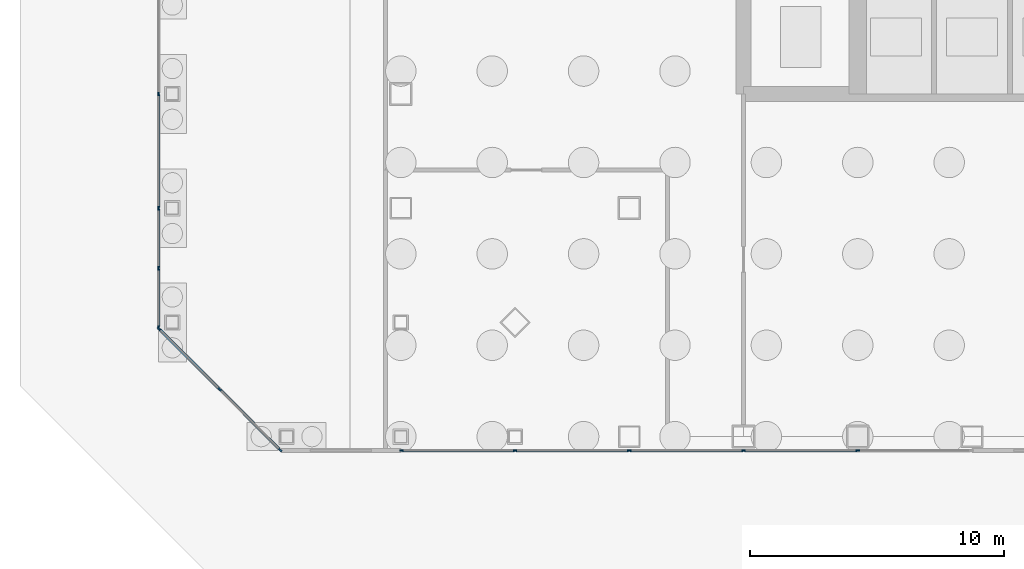
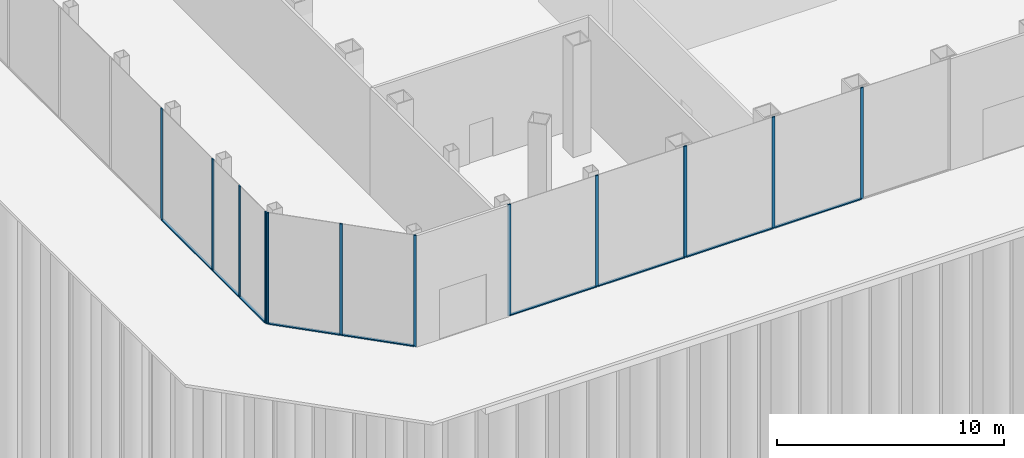
# One storey, part 6 of 24: 21 members, 3 elements without a shape of their own.
"""IFC4 building model written with IfcOpenShell, lengths in metres."""

import ifcopenshell
import ifcopenshell.guid

model = None  # the IFC model being written
_history = None  # IfcOwnerHistory: only IFC2X3 demands one
_inside = {}  # id of a spatial element -> (the spatial element, [elements in it])
_under = {}  # id of a project, library or spatial element -> (it, [spatial elements below it])
_declared = {}  # id of a project -> (the project, [libraries it declares])
_typed = {}  # id of a type object -> (the type object, [elements of that type])
_made_of = {}  # id of a material, layer set ... -> (it, [elements and type objects made of it])


def new_model(schema):
    """Start an empty IFC model of exactly this schema.

    Asked for "IFC4X3", IfcOpenShell would pick the latest addendum, in which some entities
    have other attributes; the version numbers below select the first issue.
    IFC2X3 requires an IfcOwnerHistory on every rooted entity: one is made here for all.
    """
    global model, _history
    if schema == "IFC4X3":
        model = ifcopenshell.file(schema_version=(4, 3, 0, 0))
    else:
        model = ifcopenshell.file(schema=schema)
    _inside.clear()
    _under.clear()
    _declared.clear()
    _typed.clear()
    _made_of.clear()
    _history = None
    if model.schema == "IFC2X3":
        org = make("IfcOrganization", Name="unknown")
        user = make(
            "IfcPersonAndOrganization",
            ThePerson=make("IfcPerson", FamilyName="unknown"),
            TheOrganization=org,
        )
        app = make(
            "IfcApplication",
            ApplicationDeveloper=org,
            Version="unknown",
            ApplicationFullName="unknown",
            ApplicationIdentifier="unknown",
        )
        _history = make(
            "IfcOwnerHistory",
            OwningUser=user,
            OwningApplication=app,
            ChangeAction="ADDED",
            CreationDate=0,
        )
    return model


def make(cls, **values):
    """One entity of the class cls with the attributes given. An attribute that is None is left unset."""
    return model.create_entity(
        cls, **{name: value for name, value in values.items() if value is not None}
    )


def rooted(cls, **values):
    """An entity with a GlobalId (a new one), such as an element, a storey or a relation."""
    return make(cls, GlobalId=ifcopenshell.guid.new(), OwnerHistory=_history, **values)


def si_unit(unit_type, name, prefix=None):
    """IfcSIUnit, for example si_unit("LENGTHUNIT", "METRE", prefix="MILLI")."""
    return make("IfcSIUnit", UnitType=unit_type, Prefix=prefix, Name=name)


def assignment(units):
    """IfcUnitAssignment: the units of a project."""
    return None if units is None else make("IfcUnitAssignment", Units=units)


def point(xyz):
    """IfcCartesianPoint."""
    return None if xyz is None else make("IfcCartesianPoint", Coordinates=xyz)


def direction(xyz):
    """IfcDirection."""
    return None if xyz is None else make("IfcDirection", DirectionRatios=xyz)


def frame(location, z_axis=None, x_axis=None):
    """IfcAxis2Placement3D, a coordinate frame: its origin and axes. An axis left out is left unset."""
    return make(
        "IfcAxis2Placement3D",
        Location=point(location),
        Axis=direction(z_axis),
        RefDirection=direction(x_axis),
    )


def frame_2d(location, x_axis=None):
    """IfcAxis2Placement2D, a coordinate frame in the plane: its origin and x axis."""
    return make(
        "IfcAxis2Placement2D", Location=point(location), RefDirection=direction(x_axis)
    )


def origin():
    """The frame at (0, 0, 0) with its axes left unset."""
    return frame((0.0, 0.0, 0.0))


def origin_2d():
    """The frame at (0, 0) in the plane with its x axis left unset."""
    return frame_2d((0.0, 0.0))


def place(relative_to, where):
    """IfcLocalPlacement: puts the frame where relative to a parent placement (None: the world)."""
    return make(
        "IfcLocalPlacement", PlacementRelTo=relative_to, RelativePlacement=where
    )


def context(
    kind, dimensions, precision=None, world=None, true_north=None, identifier=None
):
    """IfcGeometricRepresentationContext, for example the 3D "Model" context."""
    return make(
        "IfcGeometricRepresentationContext",
        ContextIdentifier=identifier,
        ContextType=kind,
        CoordinateSpaceDimension=dimensions,
        Precision=precision,
        WorldCoordinateSystem=world,
        TrueNorth=true_north,
    )


def subcontext(parent, identifier, kind, view, scale=None):
    """IfcGeometricRepresentationSubContext, for example "Body" below "Model"."""
    return make(
        "IfcGeometricRepresentationSubContext",
        ContextIdentifier=identifier,
        ContextType=kind,
        ParentContext=parent,
        TargetScale=scale,
        TargetView=view,
    )


def project(units=None, contexts=None):
    """IfcProject with its units and contexts."""
    return rooted(
        "IfcProject",
        Name="project",
        RepresentationContexts=contexts,
        UnitsInContext=assignment(units),
    )


def spatial(cls, under=None, at=None, **own):
    """A site, building, storey or space (cls), placed at a placement, below another one or the project."""
    s = rooted(cls, ObjectPlacement=at, **own)
    if under is not None:
        _under.setdefault(under.id(), (under, []))[1].append(s)
    return s


def profile(cls, at=None, kind="AREA", **sizes):
    """A parametric profile (cls). Its sizes go by their IFC names, for example OverallWidth=200.0."""
    return make(cls, ProfileType=kind, Position=at, **sizes)


def rectangle(**sizes):
    """IfcRectangleProfileDef."""
    return profile("IfcRectangleProfileDef", **sizes)


def extrude(swept, where, along, depth):
    """IfcExtrudedAreaSolid: the profile swept, set in the frame where, extruded along a direction by depth."""
    return make(
        "IfcExtrudedAreaSolid",
        SweptArea=swept,
        Position=where,
        ExtrudedDirection=direction(along),
        Depth=depth,
    )


def shape(context_of_items, identifier, shape_type, items):
    """IfcShapeRepresentation: the items that make up one representation, for example the "Body"."""
    return make(
        "IfcShapeRepresentation",
        ContextOfItems=context_of_items,
        RepresentationIdentifier=identifier,
        RepresentationType=shape_type,
        Items=items,
    )


def material(Name=None, Category=None):
    """IfcMaterial."""
    return make("IfcMaterial", Name=Name, Category=Category)


def material_profile(
    of_material, cross_section, Name=None, Category=None, Priority=None
):
    """IfcMaterialProfile: a cross section and its material."""
    return make(
        "IfcMaterialProfile",
        Name=Name,
        Material=of_material,
        Profile=cross_section,
        Priority=Priority,
        Category=Category,
    )


def profile_set(profiles, Name=None, composite=None):
    """IfcMaterialProfileSet."""
    return make(
        "IfcMaterialProfileSet",
        Name=Name,
        MaterialProfiles=profiles,
        CompositeProfile=composite,
    )


def made_of(thing, what):
    """Note that an element or type object is made of a material, layer set ...; save() writes the relation."""
    if what is not None:
        _made_of.setdefault(what.id(), (what, []))[1].append(thing)
    return thing


def type_object(cls, material=None, **own):
    """A type object (cls), such as IfcWallType, which elements share."""
    return made_of(rooted(cls, **own), material)


def element(
    cls,
    number,
    at=None,
    inside=None,
    cuts=None,
    type_object=None,
    material=None,
    context=None,
    identifier="Body",
    shape_type=None,
    held_by="IfcProductDefinitionShape",
    body=None,
    shapes=None,
    **own,
):
    """One element of the class cls, such as IfcWall. Its Tag is "e" and its number.

    at: its placement. inside: the storey or other place that contains it. cuts: it is an
    opening in that element (IfcRelVoidsElement). A single representation is given by context,
    identifier, shape_type and body (its items); several are given by shapes. held_by: the class
    of the entity that holds the representations. save() writes the other relations.
    """
    e = rooted(cls, Tag="e%d" % number, ObjectPlacement=at, **own)
    if body is not None:
        shapes = [shape(context, identifier, shape_type, body)]
    if shapes is not None:
        e.Representation = make(held_by, Representations=shapes)
    if inside is not None:
        _inside.setdefault(inside.id(), (inside, []))[1].append(e)
    if cuts is not None:
        rooted(
            "IfcRelVoidsElement", RelatingBuildingElement=cuts, RelatedOpeningElement=e
        )
    if type_object is not None:
        _typed.setdefault(type_object.id(), (type_object, []))[1].append(e)
    return made_of(e, material)


def aggregate(whole, parts):
    """IfcRelAggregates: a whole, such as a stair, and the parts it consists of."""
    return rooted("IfcRelAggregates", RelatingObject=whole, RelatedObjects=parts)


def save(model, path):
    """Write the relations noted so far, then the file.

    IfcRelAggregates (storeys below a building ...), IfcRelContainedInSpatialStructure (elements
    in a storey), IfcRelDefinesByType, IfcRelAssociatesMaterial and IfcRelDeclares: one each for
    every whole, place, type object, material and project.
    """
    for whole, parts in _under.values():
        aggregate(whole, parts)
    for where, things in _inside.values():
        rooted(
            "IfcRelContainedInSpatialStructure",
            RelatedElements=things,
            RelatingStructure=where,
        )
    for kind, things in _typed.values():
        rooted("IfcRelDefinesByType", RelatedObjects=things, RelatingType=kind)
    for what, things in _made_of.values():
        rooted("IfcRelAssociatesMaterial", RelatedObjects=things, RelatingMaterial=what)
    for by, libraries in _declared.values():
        rooted("IfcRelDeclares", RelatingContext=by, RelatedDefinitions=libraries)
    model.write(path)


model = new_model("IFC4")

# Units and contexts
model_context = context("Model", 3, precision=1e-05, world=origin(), true_north=direction((0.0, 1.0)))
body_context = subcontext(model_context, "Body", "Model", "MODEL_VIEW")
ifc_project = project(units=[si_unit("LENGTHUNIT", "METRE"), si_unit("AREAUNIT", "SQUARE_METRE"), si_unit("VOLUMEUNIT", "CUBIC_METRE"), si_unit("PLANEANGLEUNIT", "RADIAN"), si_unit("MASSUNIT", "GRAM", prefix="KILO")], contexts=[model_context])

# Site, building, storey
site_placement = place(None, origin())
site = spatial("IfcSite", under=ifc_project, at=site_placement, CompositionType="ELEMENT")
building_placement = place(site_placement, origin())
building = spatial("IfcBuilding", under=site, at=building_placement, Name="Corais Broadcast Tower", CompositionType="ELEMENT")
storey_placement = place(building_placement, origin())
storey = spatial("IfcBuildingStorey", under=building, at=storey_placement, Name="L00", CompositionType="ELEMENT", Elevation=0.0)

# Curtain wall, members
ifc_material_1 = material(Name="Aluminium and glass", Category="aluminium")
curtain_wall_type = type_object("IfcCurtainWallType", Name="Storefront curtain wall CW5", PredefinedType="NOTDEFINED", material=ifc_material_1)
curtain_wall_1_placement = place(storey_placement, origin())
curtain_wall_1 = element("IfcCurtainWall", 1, at=curtain_wall_1_placement, inside=storey, type_object=curtain_wall_type, Name="CW5 curtain wall L00 1", PredefinedType="NOTDEFINED")
ifc_material_2 = material(Name="Aluminium 6063-T6", Category="aluminium")
ifc_material_profile_1 = material_profile(ifc_material_2, rectangle(XDim=0.06005859375, YDim=0.14990234375, at=origin_2d()), Name="Mullion CW5 60x150")
ifc_profile_set_1 = profile_set([ifc_material_profile_1], Name="Aluminium 6063-T6")
member_type_1 = type_object("IfcMemberType", Name="Mullion CW5 60x150", PredefinedType="MULLION", material=ifc_profile_set_1)
member_1_placement = place(storey_placement, frame((-4.7490234375, -0.52880859375, 0.0), z_axis=(0.0, 0.0, 1.0), x_axis=(-0.707106781187, -0.707106781187, 0.0)))
member_1 = element("IfcMember", 2, at=member_1_placement, type_object=member_type_1, Name="CW5 mullion 1", PredefinedType="MULLION", context=body_context, shape_type="SweptSolid", body=[
    extrude(rectangle(XDim=0.06005859375, YDim=0.14990234375, at=origin_2d()), origin(), (0.0, 0.0, 1.0), 6.0),
])
member_2_placement = place(storey_placement, frame((-7.138916015625, 1.861083984375, 0.0), z_axis=(0.0, 0.0, 1.0), x_axis=(-0.707106781187, -0.707106781187, 0.0)))
member_2 = element("IfcMember", 3, at=member_2_placement, type_object=member_type_1, Name="CW5 mullion 2", PredefinedType="MULLION", context=body_context, shape_type="SweptSolid", body=[
    extrude(rectangle(XDim=0.06005859375, YDim=0.14990234375, at=origin_2d()), origin(), (0.0, 0.0, 1.0), 6.0),
])
member_3_placement = place(storey_placement, frame((-9.52880859375, 4.2509765625, 0.0), z_axis=(0.0, 0.0, 1.0), x_axis=(-0.707106781187, -0.707106781187, 0.0)))
member_3 = element("IfcMember", 4, at=member_3_placement, type_object=member_type_1, Name="CW5 mullion 3", PredefinedType="MULLION", context=body_context, shape_type="SweptSolid", body=[
    extrude(rectangle(XDim=0.06005859375, YDim=0.14990234375, at=origin_2d()), origin(), (0.0, 0.0, 1.0), 6.0),
])

curtain_wall_2_placement = place(storey_placement, origin())
curtain_wall_2 = element("IfcCurtainWall", 5, at=curtain_wall_2_placement, inside=storey, type_object=curtain_wall_type, Name="CW5 curtain wall L00 2", PredefinedType="NOTDEFINED")
member_4_placement = place(storey_placement, frame((-9.550048828125, 4.30224609375, 0.0), z_axis=(0.0, 0.0, 1.0), x_axis=(-1.0, 0.0, 0.0)))
member_4 = element("IfcMember", 6, at=member_4_placement, type_object=member_type_1, Name="CW5 mullion 1", PredefinedType="MULLION", context=body_context, shape_type="SweptSolid", body=[
    extrude(rectangle(XDim=0.06005859375, YDim=0.14990234375, at=origin_2d()), origin(), (0.0, 0.0, 1.0), 6.0),
])
member_5_placement = place(storey_placement, frame((-9.550048828125, 6.635986328125, 0.0), z_axis=(0.0, 0.0, 1.0), x_axis=(-1.0, 0.0, 0.0)))
member_5 = element("IfcMember", 7, at=member_5_placement, type_object=member_type_1, Name="CW5 mullion 2", PredefinedType="MULLION", context=body_context, shape_type="SweptSolid", body=[
    extrude(rectangle(XDim=0.06005859375, YDim=0.14990234375, at=origin_2d()), origin(), (0.0, 0.0, 1.0), 6.0),
])
member_6_placement = place(storey_placement, frame((-9.550048828125, 9.0, 0.0), z_axis=(0.0, 0.0, 1.0), x_axis=(-1.0, 0.0, 0.0)))
member_6 = element("IfcMember", 8, at=member_6_placement, type_object=member_type_1, Name="CW5 mullion 3", PredefinedType="MULLION", context=body_context, shape_type="SweptSolid", body=[
    extrude(rectangle(XDim=0.06005859375, YDim=0.14990234375, at=origin_2d()), origin(), (0.0, 0.0, 1.0), 6.0),
])
member_7_placement = place(storey_placement, frame((-9.550048828125, 13.5, 0.0), z_axis=(0.0, 0.0, 1.0), x_axis=(-1.0, 0.0, 0.0)))
member_7 = element("IfcMember", 9, at=member_7_placement, type_object=member_type_1, Name="CW5 mullion 4", PredefinedType="MULLION", context=body_context, shape_type="SweptSolid", body=[
    extrude(rectangle(XDim=0.06005859375, YDim=0.14990234375, at=origin_2d()), origin(), (0.0, 0.0, 1.0), 6.0),
])

curtain_wall_3_placement = place(storey_placement, origin())
curtain_wall_3 = element("IfcCurtainWall", 10, at=curtain_wall_3_placement, inside=storey, type_object=curtain_wall_type, Name="CW5 curtain wall L00 8", PredefinedType="NOTDEFINED")
member_8_placement = place(storey_placement, frame((18.0, -0.550048828125, 0.0), z_axis=(0.0, 0.0, 1.0), x_axis=(0.0, -1.0, 0.0)))
member_8 = element("IfcMember", 11, at=member_8_placement, type_object=member_type_1, Name="CW5 mullion 2", PredefinedType="MULLION", context=body_context, shape_type="SweptSolid", body=[
    extrude(rectangle(XDim=0.06005859375, YDim=0.14990234375, at=origin_2d()), origin(), (0.0, 0.0, 1.0), 6.0),
])
member_9_placement = place(storey_placement, frame((13.5, -0.550048828125, 0.0), z_axis=(0.0, 0.0, 1.0), x_axis=(0.0, -1.0, 0.0)))
member_9 = element("IfcMember", 12, at=member_9_placement, type_object=member_type_1, Name="CW5 mullion 3", PredefinedType="MULLION", context=body_context, shape_type="SweptSolid", body=[
    extrude(rectangle(XDim=0.06005859375, YDim=0.14990234375, at=origin_2d()), origin(), (0.0, 0.0, 1.0), 6.0),
])
member_10_placement = place(storey_placement, frame((9.0, -0.550048828125, 0.0), z_axis=(0.0, 0.0, 1.0), x_axis=(0.0, -1.0, 0.0)))
member_10 = element("IfcMember", 13, at=member_10_placement, type_object=member_type_1, Name="CW5 mullion 4", PredefinedType="MULLION", context=body_context, shape_type="SweptSolid", body=[
    extrude(rectangle(XDim=0.06005859375, YDim=0.14990234375, at=origin_2d()), origin(), (0.0, 0.0, 1.0), 6.0),
])
member_11_placement = place(storey_placement, frame((4.5, -0.550048828125, 0.0), z_axis=(0.0, 0.0, 1.0), x_axis=(0.0, -1.0, 0.0)))
member_11 = element("IfcMember", 14, at=member_11_placement, type_object=member_type_1, Name="CW5 mullion 5", PredefinedType="MULLION", context=body_context, shape_type="SweptSolid", body=[
    extrude(rectangle(XDim=0.06005859375, YDim=0.14990234375, at=origin_2d()), origin(), (0.0, 0.0, 1.0), 6.0),
])
member_12_placement = place(storey_placement, frame((0.030029296875, -0.550048828125, 0.0), z_axis=(0.0, 0.0, 1.0), x_axis=(0.0, -1.0, 0.0)))
member_12 = element("IfcMember", 15, at=member_12_placement, type_object=member_type_1, Name="CW5 mullion 6", PredefinedType="MULLION", context=body_context, shape_type="SweptSolid", body=[
    extrude(rectangle(XDim=0.06005859375, YDim=0.14990234375, at=origin_2d()), origin(), (0.0, 0.0, 1.0), 6.0),
])

# Member
ifc_material_3 = material(Name="Aluminium 6063-T6", Category="aluminium")
ifc_material_profile_2 = material_profile(ifc_material_3, rectangle(XDim=0.1201171875, YDim=0.06005859375, at=origin_2d()), Name="Transom CW5 60x120")
ifc_profile_set_2 = profile_set([ifc_material_profile_2], Name="Aluminium 6063-T6")
member_type_2 = type_object("IfcMemberType", Name="Transom CW5 60x120", PredefinedType="USERDEFINED", material=ifc_profile_set_2)
member_13_placement = place(storey_placement, frame((-4.770263671875, -0.507568359375, 0.030029296875), z_axis=(-0.707106781187, 0.707106781187, 0.0), x_axis=(-0.707106781187, -0.707106781187, 0.0)))
member_13 = element("IfcMember", 16, at=member_13_placement, type_object=member_type_2, Name="CW5 transom 1.1", ObjectType="TRANSOM", PredefinedType="USERDEFINED", context=body_context, shape_type="SweptSolid", body=[
    extrude(rectangle(XDim=0.1201171875, YDim=0.06005859375, at=origin_2d()), origin(), (0.0, 0.0, 1.0), 3.31982421875),
])

member_14_placement = place(storey_placement, frame((-7.16015625, 1.88232421875, 0.030029296875), z_axis=(-0.707106781187, 0.707106781187, 0.0), x_axis=(-0.707106781187, -0.707106781187, 0.0)))
member_14 = element("IfcMember", 17, at=member_14_placement, type_object=member_type_2, Name="CW5 transom 2.1", ObjectType="TRANSOM", PredefinedType="USERDEFINED", context=body_context, shape_type="SweptSolid", body=[
    extrude(rectangle(XDim=0.1201171875, YDim=0.06005859375, at=origin_2d()), origin(), (0.0, 0.0, 1.0), 3.31982421875),
])

aggregate(curtain_wall_1, [member_1, member_2, member_3, member_13, member_14])

member_15_placement = place(storey_placement, frame((-9.550048828125, 4.332275390625, 0.030029296875), z_axis=(0.0, 1.0, 0.0), x_axis=(-1.0, 0.0, 0.0)))
member_15 = element("IfcMember", 18, at=member_15_placement, type_object=member_type_2, Name="CW5 transom 1.1", ObjectType="TRANSOM", PredefinedType="USERDEFINED", context=body_context, shape_type="SweptSolid", body=[
    extrude(rectangle(XDim=0.1201171875, YDim=0.06005859375, at=origin_2d()), origin(), (0.0, 0.0, 1.0), 2.27392578125),
])

member_16_placement = place(storey_placement, frame((-9.550048828125, 6.666015625, 0.030029296875), z_axis=(0.0, 1.0, 0.0), x_axis=(-1.0, 0.0, 0.0)))
member_16 = element("IfcMember", 19, at=member_16_placement, type_object=member_type_2, Name="CW5 transom 2.1", ObjectType="TRANSOM", PredefinedType="USERDEFINED", context=body_context, shape_type="SweptSolid", body=[
    extrude(rectangle(XDim=0.1201171875, YDim=0.06005859375, at=origin_2d()), origin(), (0.0, 0.0, 1.0), 2.303955078125),
])

member_17_placement = place(storey_placement, frame((-9.550048828125, 9.030029296875, 0.030029296875), z_axis=(0.0, 1.0, 0.0), x_axis=(-1.0, 0.0, 0.0)))
member_17 = element("IfcMember", 20, at=member_17_placement, type_object=member_type_2, Name="CW5 transom 3.1", ObjectType="TRANSOM", PredefinedType="USERDEFINED", context=body_context, shape_type="SweptSolid", body=[
    extrude(rectangle(XDim=0.1201171875, YDim=0.06005859375, at=origin_2d()), origin(), (0.0, 0.0, 1.0), 4.43994140625),
])

aggregate(curtain_wall_2, [member_4, member_5, member_6, member_7, member_15, member_16, member_17])

member_18_placement = place(storey_placement, frame((17.969970703125, -0.550048828125, 0.030029296875), z_axis=(-1.0, 0.0, 0.0), x_axis=(0.0, -1.0, 0.0)))
member_18 = element("IfcMember", 21, at=member_18_placement, type_object=member_type_2, Name="CW5 transom 2.1", ObjectType="TRANSOM", PredefinedType="USERDEFINED", context=body_context, shape_type="SweptSolid", body=[
    extrude(rectangle(XDim=0.1201171875, YDim=0.06005859375, at=origin_2d()), origin(), (0.0, 0.0, 1.0), 4.43994140625),
])

member_19_placement = place(storey_placement, frame((13.469970703125, -0.550048828125, 0.030029296875), z_axis=(-1.0, 0.0, 0.0), x_axis=(0.0, -1.0, 0.0)))
member_19 = element("IfcMember", 22, at=member_19_placement, type_object=member_type_2, Name="CW5 transom 3.1", ObjectType="TRANSOM", PredefinedType="USERDEFINED", context=body_context, shape_type="SweptSolid", body=[
    extrude(rectangle(XDim=0.1201171875, YDim=0.06005859375, at=origin_2d()), origin(), (0.0, 0.0, 1.0), 4.43994140625),
])

member_20_placement = place(storey_placement, frame((8.969970703125, -0.550048828125, 0.030029296875), z_axis=(-1.0, 0.0, 0.0), x_axis=(0.0, -1.0, 0.0)))
member_20 = element("IfcMember", 23, at=member_20_placement, type_object=member_type_2, Name="CW5 transom 4.1", ObjectType="TRANSOM", PredefinedType="USERDEFINED", context=body_context, shape_type="SweptSolid", body=[
    extrude(rectangle(XDim=0.1201171875, YDim=0.06005859375, at=origin_2d()), origin(), (0.0, 0.0, 1.0), 4.43994140625),
])

member_21_placement = place(storey_placement, frame((4.469970703125, -0.550048828125, 0.030029296875), z_axis=(-1.0, 0.0, 0.0), x_axis=(0.0, -1.0, 0.0)))
member_21 = element("IfcMember", 24, at=member_21_placement, type_object=member_type_2, Name="CW5 transom 5.1", ObjectType="TRANSOM", PredefinedType="USERDEFINED", context=body_context, shape_type="SweptSolid", body=[
    extrude(rectangle(XDim=0.1201171875, YDim=0.06005859375, at=origin_2d()), origin(), (0.0, 0.0, 1.0), 4.409912109375),
])

aggregate(curtain_wall_3, [member_8, member_9, member_10, member_11, member_12, member_18, member_19, member_20, member_21])

save(model, "model.ifc")
